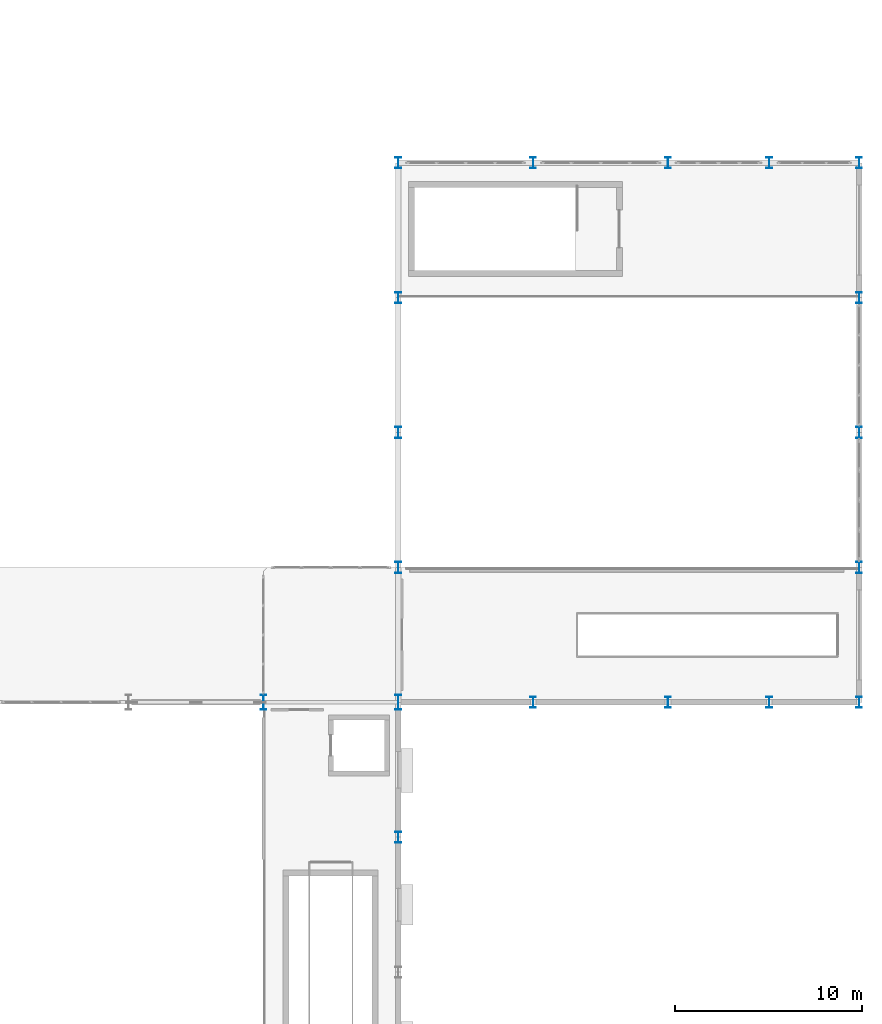
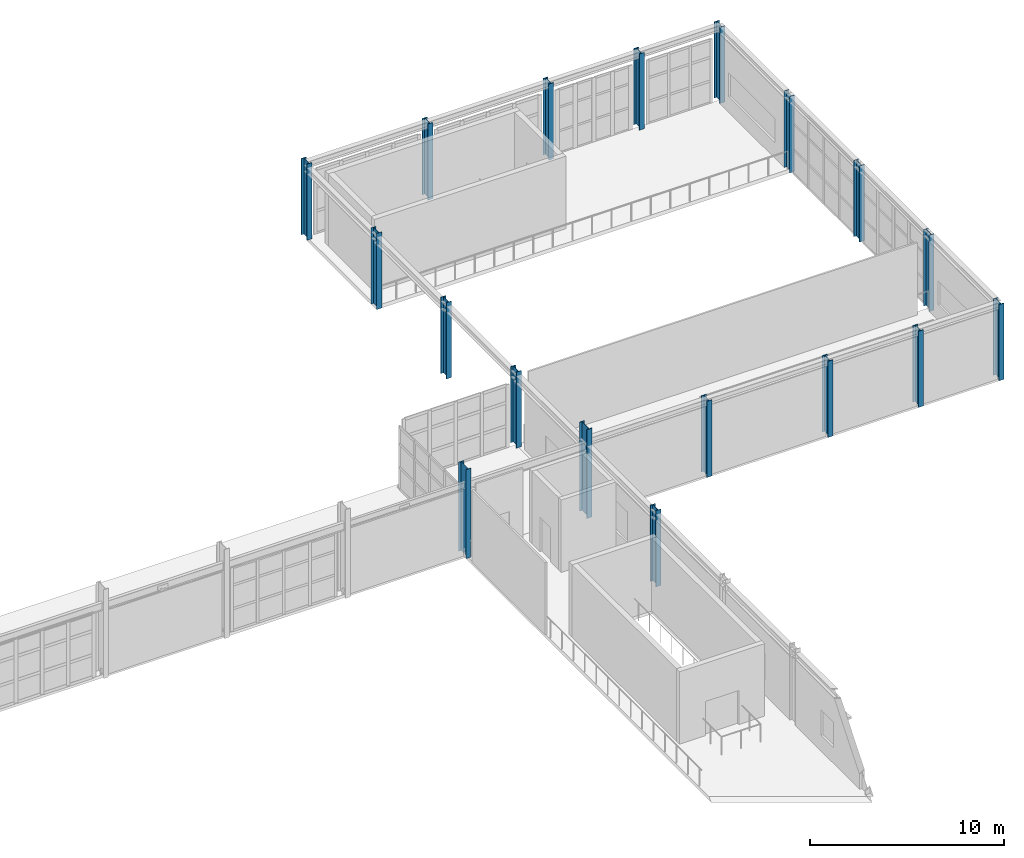
# One storey, part 15 of 126: 18 columns.
"""IFC4 building model written with IfcOpenShell, lengths in metres."""

from ifc_helpers import new_model, si_unit, direction, frame, origin, origin_2d, place, context, subcontext, project, spatial, i_section, extrude, material, material_profile, profile_set, type_object, element, save


model = new_model("IFC4")

# Units and contexts
model_context = context("Model", 3, precision=1e-05, world=origin(), true_north=direction((0.0, 1.0)))
body_context = subcontext(model_context, "Body", "Model", "MODEL_VIEW")
ifc_project = project(units=[si_unit("LENGTHUNIT", "METRE"), si_unit("AREAUNIT", "SQUARE_METRE"), si_unit("VOLUMEUNIT", "CUBIC_METRE"), si_unit("PLANEANGLEUNIT", "RADIAN"), si_unit("MASSUNIT", "GRAM", prefix="KILO")], contexts=[model_context])

# Site, building, storey
site_placement = place(None, origin())
site = spatial("IfcSite", under=ifc_project, at=site_placement, CompositionType="ELEMENT")
building_placement = place(site_placement, origin())
building = spatial("IfcBuilding", under=site, at=building_placement, Name="Solvadek Multi-Sports Hall", CompositionType="ELEMENT")
storey_placement = place(building_placement, frame((0.0, 0.0, 9.60009765625)))
storey = spatial("IfcBuildingStorey", under=building, at=storey_placement, Name="L02", CompositionType="ELEMENT", Elevation=9.60009765625)

# Columns
ifc_material = material(Name="Steel E350 (350 MPa)", Category="steel")
ifc_material_profile_1 = material_profile(ifc_material, i_section(OverallWidth=0.300048828125, OverallDepth=0.60009765625, WebThickness=0.015380859375, FlangeThickness=0.030029296875, at=origin_2d()), Name="WPB 600")
ifc_profile_set_1 = profile_set([ifc_material_profile_1], Name="Steel E350 (350 MPa)")
column_type_1 = type_object("IfcColumnType", Name="STR-COL-WPB600", PredefinedType="COLUMN", material=ifc_profile_set_1)
for number, where, z_axis, x_axis, name in (
    (1, (136.800048828125, 34.800048828125, 0.0), (0.0, 0.0, 1.0), (1.0, 0.0, 0.0), "L02 Column C-03 #240"),
    (2, (136.800048828125, 49.199951171875, 0.0), (0.0, 0.0, 1.0), (1.0, 0.0, 0.0), "L02 Column C-03 #242"),
    (3, (136.800048828125, 56.39990234375, 0.0), (0.0, 0.0, 1.0), (1.0, 0.0, 0.0), "L02 Column C-03 #243"),
    (4, (136.800048828125, 63.60009765625, 0.0), (0.0, 0.0, 1.0), (1.0, 0.0, 0.0), "L02 Column C-03 #244"),
    (5, (136.800048828125, 70.800048828125, 0.0), (0.0, 0.0, 1.0), (1.0, 0.0, 0.0), "L02 Column C-03 #245"),
    (6, (144.0, 42.0, 0.0), (0.0, 0.0, 1.0), (1.0, 0.0, 0.0), "L02 Column C-03 #246"),
    (7, (144.0, 70.800048828125, 0.0), (0.0, 0.0, 1.0), (1.0, 0.0, 0.0), "L02 Column C-03 #250"),
    (8, (151.199951171875, 42.0, 0.0), (0.0, 0.0, 1.0), (1.0, 0.0, 0.0), "L02 Column C-03 #251"),
    (9, (151.199951171875, 70.800048828125, 0.0), (0.0, 0.0, 1.0), (1.0, 0.0, 0.0), "L02 Column C-03 #255"),
    (10, (156.60009765625, 42.0, 0.0), (0.0, 0.0, 1.0), (1.0, 0.0, 0.0), "L02 Column C-03 #256"),
    (11, (156.60009765625, 70.800048828125, 0.0), (0.0, 0.0, 1.0), (1.0, 0.0, 0.0), "L02 Column C-03 #260"),
    (12, (161.39990234375, 42.0, 0.0), (0.0, 0.0, 1.0), (1.0, 0.0, 0.0), "L02 Column C-03 #261"),
    (13, (161.39990234375, 49.199951171875, 0.0), (0.0, 0.0, 1.0), (1.0, 0.0, 0.0), "L02 Column C-03 #262"),
    (14, (161.39990234375, 56.39990234375, 0.0), (0.0, 0.0, 1.0), (1.0, 0.0, 0.0), "L02 Column C-03 #263"),
    (15, (161.39990234375, 63.60009765625, 0.0), (0.0, 0.0, 1.0), (1.0, 0.0, 0.0), "L02 Column C-03 #264"),
    (16, (161.39990234375, 70.800048828125, 0.0), (0.0, 0.0, 1.0), (1.0, 0.0, 0.0), "L02 Column C-03 #265"),
):
    element("IfcColumn", number, at=place(storey_placement, frame(where, z_axis=z_axis, x_axis=x_axis)), inside=storey, type_object=column_type_1, Name=name, PredefinedType="COLUMN", context=body_context, shape_type="SweptSolid", body=[
        extrude(i_section(OverallWidth=0.300048828125, OverallDepth=0.60009765625, WebThickness=0.015380859375, FlangeThickness=0.030029296875, at=origin_2d()), origin(), (0.0, 0.0, 1.0), 4.7998046875),
    ])
ifc_material_profile_2 = material_profile(ifc_material, i_section(OverallWidth=0.300048828125, OverallDepth=0.800048828125, WebThickness=0.017578125, FlangeThickness=0.032958984375, at=origin_2d()), Name="WPB 800")
ifc_profile_set_2 = profile_set([ifc_material_profile_2], Name="Steel E350 (350 MPa)")
column_type_2 = type_object("IfcColumnType", Name="STR-COL-WPB800", PredefinedType="COLUMN", material=ifc_profile_set_2)
for number, where, z_axis, x_axis, name in (
    (17, (129.60009765625, 42.0, 0.0), (0.0, 0.0, 1.0), (1.0, 0.0, 0.0), "L02 Column C-01 #235"),
    (18, (136.800048828125, 42.0, 0.0), (0.0, 0.0, 1.0), (1.0, 0.0, 0.0), "L02 Column C-01 #241"),
):
    element("IfcColumn", number, at=place(storey_placement, frame(where, z_axis=z_axis, x_axis=x_axis)), inside=storey, type_object=column_type_2, Name=name, PredefinedType="COLUMN", context=body_context, shape_type="SweptSolid", body=[
        extrude(i_section(OverallWidth=0.300048828125, OverallDepth=0.800048828125, WebThickness=0.017578125, FlangeThickness=0.032958984375, at=origin_2d()), origin(), (0.0, 0.0, 1.0), 5.599853515625),
    ])

save(model, "model.ifc")
